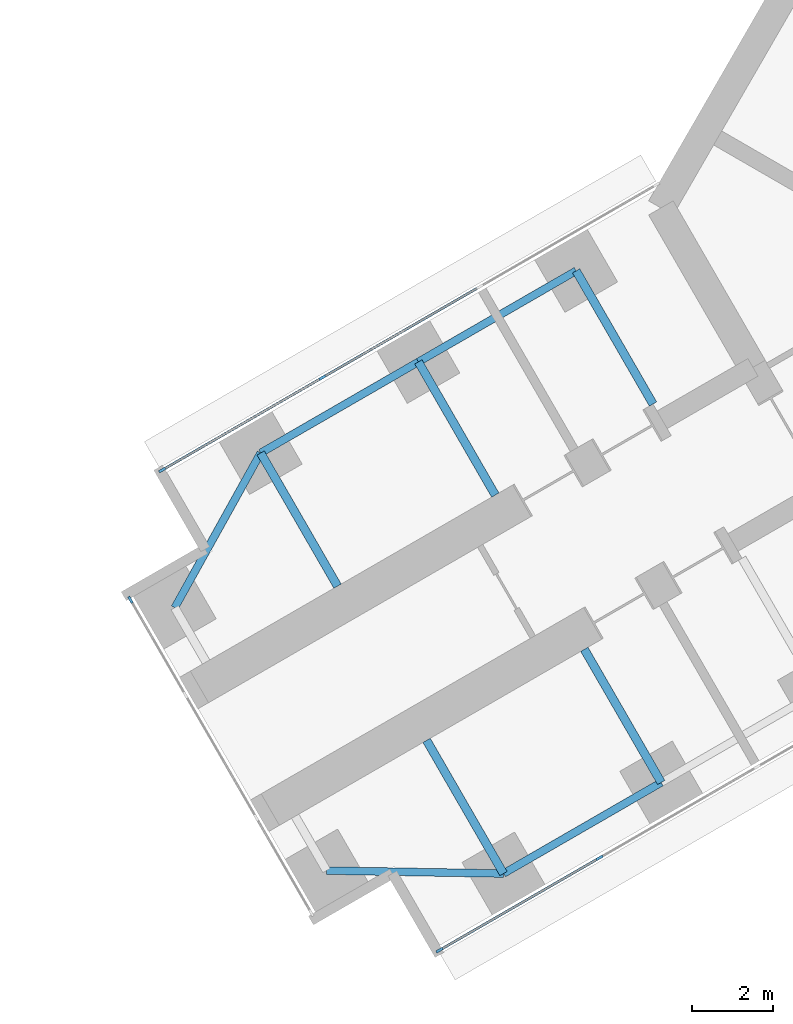
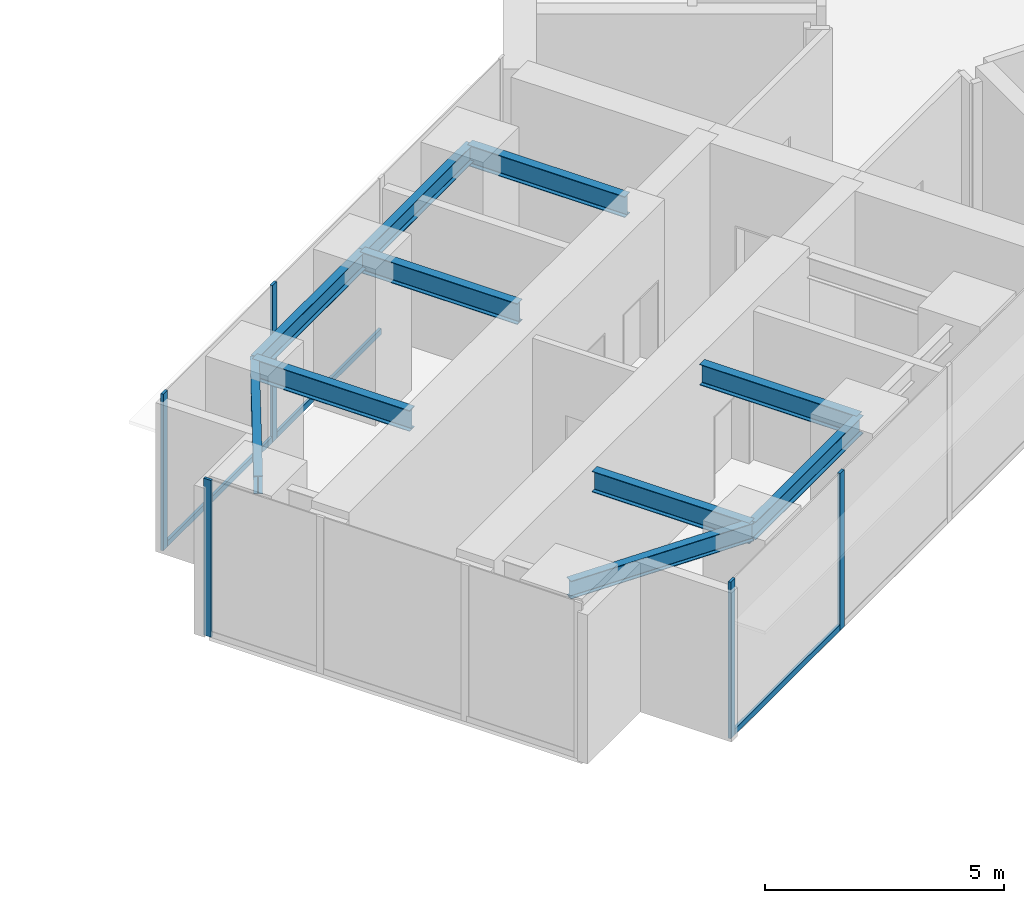
# One storey, part 4 of 23: 10 beams, 8 members, 3 elements without a shape of their own.
"""IFC4 building model written with IfcOpenShell, lengths in metres."""

from ifc_helpers import new_model, si_unit, direction, frame, origin, origin_2d, place, context, subcontext, project, spatial, rectangle, i_section, extrude, material, material_profile, profile_set, type_object, element, aggregate, save


model = new_model("IFC4")

# Units and contexts
model_context = context("Model", 3, precision=1e-05, world=origin(), true_north=direction((0.0, 1.0)))
body_context = subcontext(model_context, "Body", "Model", "MODEL_VIEW")
ifc_project = project(units=[si_unit("LENGTHUNIT", "METRE"), si_unit("AREAUNIT", "SQUARE_METRE"), si_unit("VOLUMEUNIT", "CUBIC_METRE"), si_unit("PLANEANGLEUNIT", "RADIAN"), si_unit("MASSUNIT", "GRAM", prefix="KILO")], contexts=[model_context])

# Site, building, storey
site_placement = place(None, origin())
site = spatial("IfcSite", under=ifc_project, at=site_placement, CompositionType="ELEMENT")
building_placement = place(site_placement, origin())
building = spatial("IfcBuilding", under=site, at=building_placement, Name="Upepo Twin Towers", CompositionType="ELEMENT")
storey_placement = place(building_placement, frame((0.0, 0.0, 24.5)))
storey = spatial("IfcBuildingStorey", under=building, at=storey_placement, Name="L05", CompositionType="ELEMENT", Elevation=24.5)

# Beams
ifc_material_1 = material(Name="Steel S355", Category="steel")
ifc_material_profile_1 = material_profile(ifc_material_1, i_section(OverallWidth=0.1904296875, OverallDepth=0.45703125, WebThickness=0.009033203125, FlangeThickness=0.014404296875, FilletRadius=0.01025390625, at=origin_2d()), Name="UB 457x191x74")
ifc_profile_set_1 = profile_set([ifc_material_profile_1], Name="Steel S355")
beam_type_1 = type_object("IfcBeamType", Name="Beam UB 457x191x74", PredefinedType="BEAM", material=ifc_profile_set_1)
beam_1_placement = place(storey_placement, frame((45.91162109375, -32.196044921875, 3.571533203125), z_axis=(-0.866031096941, -0.499990139034, 0.0), x_axis=(0.499990139034, -0.866031096941, 0.0)))
element("IfcBeam", 1, at=beam_1_placement, inside=storey, type_object=beam_type_1, Name="T2 edge beam BL 18.0-22.5", PredefinedType="BEAM", context=body_context, shape_type="SweptSolid", body=[
    extrude(i_section(OverallWidth=0.1904296875, OverallDepth=0.45703125, WebThickness=0.009033203125, FlangeThickness=0.014404296875, FilletRadius=0.01025390625, at=origin_2d()), origin(), (0.0, 0.0, 1.0), 4.5),
])
beam_2_placement = place(storey_placement, frame((42.014404296875, -34.446044921875, 3.571533203125), z_axis=(-0.999858804832, 0.016803880528, 0.0), x_axis=(-0.016803880528, -0.999858804832, 0.0)))
element("IfcBeam", 2, at=beam_2_placement, inside=storey, type_object=beam_type_1, Name="T2 nose edge beam BL", PredefinedType="BEAM", context=body_context, shape_type="SweptSolid", body=[
    extrude(i_section(OverallWidth=0.1904296875, OverallDepth=0.45703125, WebThickness=0.009033203125, FlangeThickness=0.014404296875, FilletRadius=0.01025390625, at=origin_2d()), origin(), (0.0, 0.0, 1.0), 4.373291015625),
])
beam_3_placement = place(storey_placement, frame((43.80859375, -19.553955078125, 3.571533203125), z_axis=(-0.866017533419, -0.500013631625, 0.0), x_axis=(0.500013631625, -0.866017533419, 0.0)))
element("IfcBeam", 3, at=beam_3_placement, inside=storey, type_object=beam_type_1, Name="T2 edge beam BR 13.5-18.0", PredefinedType="BEAM", context=body_context, shape_type="SweptSolid", body=[
    extrude(i_section(OverallWidth=0.1904296875, OverallDepth=0.45703125, WebThickness=0.009033203125, FlangeThickness=0.014404296875, FilletRadius=0.01025390625, at=origin_2d()), origin(), (0.0, 0.0, 1.0), 4.499755859375),
])
beam_4_placement = place(storey_placement, frame((39.91162109375, -21.803955078125, 3.571533203125), z_axis=(-0.866031096941, -0.499990139034, 0.0), x_axis=(0.499990139034, -0.866031096941, 0.0)))
element("IfcBeam", 4, at=beam_4_placement, inside=storey, type_object=beam_type_1, Name="T2 edge beam BR 18.0-22.5", PredefinedType="BEAM", context=body_context, shape_type="SweptSolid", body=[
    extrude(i_section(OverallWidth=0.1904296875, OverallDepth=0.45703125, WebThickness=0.009033203125, FlangeThickness=0.014404296875, FilletRadius=0.01025390625, at=origin_2d()), origin(), (0.0, 0.0, 1.0), 4.5),
])
beam_5_placement = place(storey_placement, frame((36.014404296875, -24.053955078125, 3.571533203125), z_axis=(-0.485363242752, -0.874312600038, 0.0), x_axis=(0.874312600038, -0.485363242752, 0.0)))
element("IfcBeam", 5, at=beam_5_placement, inside=storey, type_object=beam_type_1, Name="T2 nose edge beam BR", PredefinedType="BEAM", context=body_context, shape_type="SweptSolid", body=[
    extrude(i_section(OverallWidth=0.1904296875, OverallDepth=0.45703125, WebThickness=0.009033203125, FlangeThickness=0.014404296875, FilletRadius=0.01025390625, at=origin_2d()), origin(), (0.0, 0.0, 1.0), 4.373046875),
])
ifc_material_2 = material(Name="Steel S355", Category="steel")
ifc_material_profile_2 = material_profile(ifc_material_2, i_section(OverallWidth=0.209228515625, OverallDepth=0.533203125, WebThickness=0.010009765625, FlangeThickness=0.015625, FilletRadius=0.0126953125, at=origin_2d()), Name="UB 533x210x92")
ifc_profile_set_2 = profile_set([ifc_material_profile_2], Name="Steel S355")
beam_type_2 = type_object("IfcBeamType", Name="Beam UB 533x210x92", PredefinedType="BEAM", material=ifc_profile_set_2)
beam_6_placement = place(storey_placement, frame((45.91162109375, -32.196044921875, 3.533447265625), z_axis=(-0.500043160704, 0.866000483506, 0.0), x_axis=(-0.866000483506, -0.500043160704, 0.0)))
element("IfcBeam", 6, at=beam_6_placement, inside=storey, type_object=beam_type_2, Name="T2 girder BL at 18.0", PredefinedType="BEAM", context=body_context, shape_type="SweptSolid", body=[
    extrude(i_section(OverallWidth=0.209228515625, OverallDepth=0.533203125, WebThickness=0.010009765625, FlangeThickness=0.015625, FilletRadius=0.0126953125, at=origin_2d()), origin(), (0.0, 0.0, 1.0), 3.800048828125),
])
beam_7_placement = place(storey_placement, frame((42.014404296875, -34.446044921875, 3.533447265625), z_axis=(-0.499994975061, 0.866028304915, 0.0), x_axis=(-0.866028304915, -0.499994975061, 0.0)))
element("IfcBeam", 7, at=beam_7_placement, inside=storey, type_object=beam_type_2, Name="T2 girder BL at 22.5", PredefinedType="BEAM", context=body_context, shape_type="SweptSolid", body=[
    extrude(i_section(OverallWidth=0.209228515625, OverallDepth=0.533203125, WebThickness=0.010009765625, FlangeThickness=0.015625, FilletRadius=0.0126953125, at=origin_2d()), origin(), (0.0, 0.0, 1.0), 3.7998046875),
])
beam_8_placement = place(storey_placement, frame((43.80859375, -19.553955078125, 3.533447265625), z_axis=(0.500043160704, -0.866000483506, 0.0), x_axis=(0.866000483506, 0.500043160704, 0.0)))
element("IfcBeam", 8, at=beam_8_placement, inside=storey, type_object=beam_type_2, Name="T2 girder BR at 13.5", PredefinedType="BEAM", context=body_context, shape_type="SweptSolid", body=[
    extrude(i_section(OverallWidth=0.209228515625, OverallDepth=0.533203125, WebThickness=0.010009765625, FlangeThickness=0.015625, FilletRadius=0.0126953125, at=origin_2d()), origin(), (0.0, 0.0, 1.0), 3.800048828125),
])
for number, where, z_axis, x_axis, name in (
    (9, (39.91162109375, -21.803955078125, 3.533447265625), (0.499994975061, -0.866028304915, 0.0), (0.866028304915, 0.499994975061, 0.0), "T2 girder BR at 18.0"),
    (10, (36.014404296875, -24.053955078125, 3.533447265625), (0.499994975061, -0.866028304915, 0.0), (0.866028304915, 0.499994975061, 0.0), "T2 girder BR at 22.5"),
):
    element("IfcBeam", number, at=place(storey_placement, frame(where, z_axis=z_axis, x_axis=x_axis)), inside=storey, type_object=beam_type_2, Name=name, PredefinedType="BEAM", context=body_context, shape_type="SweptSolid", body=[
        extrude(i_section(OverallWidth=0.209228515625, OverallDepth=0.533203125, WebThickness=0.010009765625, FlangeThickness=0.015625, FilletRadius=0.0126953125, at=origin_2d()), origin(), (0.0, 0.0, 1.0), 3.7998046875),
    ])

# Curtain wall, members
ifc_material_3 = material(Name="Aluminium and fritted glass", Category="aluminium")
curtain_wall_type = type_object("IfcCurtainWallType", Name="Tower curtain wall TW1, fritted glass", PredefinedType="NOTDEFINED", material=ifc_material_3)
curtain_wall_1_placement = place(storey_placement, origin())
curtain_wall_1 = element("IfcCurtainWall", 11, at=curtain_wall_1_placement, inside=storey, type_object=curtain_wall_type, Name="T2 L05 wing B flank L curtain wall", PredefinedType="NOTDEFINED")
ifc_material_4 = material(Name="Aluminium mullion", Category="aluminium")
ifc_material_profile_3 = material_profile(ifc_material_4, rectangle(XDim=0.06494140625, YDim=0.179931640625, at=origin_2d()), Name="MULLION 65x180")
ifc_profile_set_3 = profile_set([ifc_material_profile_3], Name="Aluminium mullion")
member_type_1 = type_object("IfcMemberType", Name="Mullion 65x180 TW1", PredefinedType="MULLION", material=ifc_profile_set_3)
member_1_placement = place(storey_placement, frame((44.387939453125, -34.057373046875, 0.0), z_axis=(0.0, 0.0, 1.0), x_axis=(0.500000024426, -0.866025389682, 0.0)))
member_1 = element("IfcMember", 12, at=member_1_placement, type_object=member_type_1, Name="T2 L05 wing B flank L curtain wall mullion 3", PredefinedType="MULLION", context=body_context, shape_type="SweptSolid", body=[
    extrude(rectangle(XDim=0.06494140625, YDim=0.179931640625, at=origin_2d()), origin(), (0.0, 0.0, 1.0), 4.0),
])
member_2_placement = place(storey_placement, frame((40.432373046875, -36.341064453125, 0.0), z_axis=(0.0, 0.0, 1.0), x_axis=(0.500000024426, -0.866025389682, 0.0)))
member_2 = element("IfcMember", 13, at=member_2_placement, type_object=member_type_1, Name="T2 L05 wing B flank L curtain wall mullion 4", PredefinedType="MULLION", context=body_context, shape_type="SweptSolid", body=[
    extrude(rectangle(XDim=0.06494140625, YDim=0.179931640625, at=origin_2d()), origin(), (0.0, 0.0, 1.0), 4.0),
])

curtain_wall_2_placement = place(storey_placement, origin())
curtain_wall_2 = element("IfcCurtainWall", 14, at=curtain_wall_2_placement, inside=storey, type_object=curtain_wall_type, Name="T2 L05 wing B flank R curtain wall", PredefinedType="NOTDEFINED")
member_3_placement = place(storey_placement, frame((33.58251953125, -24.4765625, 0.0), z_axis=(0.0, 0.0, 1.0), x_axis=(-0.500000024426, 0.866025389682, 0.0)))
member_3 = element("IfcMember", 15, at=member_3_placement, type_object=member_type_1, Name="T2 L05 wing B flank R curtain wall mullion 1", PredefinedType="MULLION", context=body_context, shape_type="SweptSolid", body=[
    extrude(rectangle(XDim=0.06494140625, YDim=0.179931640625, at=origin_2d()), origin(), (0.0, 0.0, 1.0), 4.0),
])
member_4_placement = place(storey_placement, frame((37.5380859375, -22.192626953125, 0.0), z_axis=(0.0, 0.0, 1.0), x_axis=(-0.500000024426, 0.866025389682, 0.0)))
member_4 = element("IfcMember", 16, at=member_4_placement, type_object=member_type_1, Name="T2 L05 wing B flank R curtain wall mullion 2", PredefinedType="MULLION", context=body_context, shape_type="SweptSolid", body=[
    extrude(rectangle(XDim=0.06494140625, YDim=0.179931640625, at=origin_2d()), origin(), (0.0, 0.0, 1.0), 4.0),
])

# Curtain wall, member
curtain_wall_3_placement = place(storey_placement, origin())
curtain_wall_3 = element("IfcCurtainWall", 17, at=curtain_wall_3_placement, inside=storey, type_object=curtain_wall_type, Name="T2 L05 wing B nose curtain wall", PredefinedType="NOTDEFINED")
member_5_placement = place(storey_placement, frame((32.796875, -27.68115234375, 0.0), z_axis=(0.0, 0.0, 1.0), x_axis=(0.866025386174, 0.500000030502, 0.0)))
member_5 = element("IfcMember", 18, at=member_5_placement, type_object=member_type_1, Name="T2 L05 wing B nose curtain wall mullion 1", PredefinedType="MULLION", context=body_context, shape_type="SweptSolid", body=[
    extrude(rectangle(XDim=0.06494140625, YDim=0.179931640625, at=origin_2d()), origin(), (0.0, 0.0, 1.0), 4.0),
])
aggregate(curtain_wall_3, [member_5])

# Member
ifc_material_5 = material(Name="Aluminium transom", Category="aluminium")
ifc_material_profile_4 = material_profile(ifc_material_5, rectangle(XDim=0.06494140625, YDim=0.14990234375, at=origin_2d()), Name="TRANSOM 65x150")
ifc_profile_set_4 = profile_set([ifc_material_profile_4], Name="Aluminium transom")
member_type_2 = type_object("IfcMemberType", Name="Transom 65x150 TW1", PredefinedType="USERDEFINED", material=ifc_profile_set_4)
member_6_placement = place(storey_placement, frame((44.35986328125, -34.073486328125, 0.074951171875), z_axis=(-0.866035699072, -0.499982167615, 0.0), x_axis=(0.499982167615, -0.866035699072, 0.0)))
member_6 = element("IfcMember", 19, at=member_6_placement, type_object=member_type_2, Name="T2 L05 wing B flank L curtain wall transom 3", ObjectType="TRANSOM", PredefinedType="USERDEFINED", context=body_context, shape_type="SweptSolid", body=[
    extrude(rectangle(XDim=0.06494140625, YDim=0.14990234375, at=origin_2d()), origin(), (0.0, 0.0, 1.0), 4.502685546875),
])

aggregate(curtain_wall_1, [member_1, member_2, member_6])

member_7_placement = place(storey_placement, frame((33.610595703125, -24.460205078125, 0.074951171875), z_axis=(0.866022143554, 0.500005646842, 0.0), x_axis=(-0.500005646842, 0.866022143554, 0.0)))
member_7 = element("IfcMember", 20, at=member_7_placement, type_object=member_type_2, Name="T2 L05 wing B flank R curtain wall transom 1", ObjectType="TRANSOM", PredefinedType="USERDEFINED", context=body_context, shape_type="SweptSolid", body=[
    extrude(rectangle(XDim=0.06494140625, YDim=0.14990234375, at=origin_2d()), origin(), (0.0, 0.0, 1.0), 4.50244140625),
])

member_8_placement = place(storey_placement, frame((37.566162109375, -22.176513671875, 0.074951171875), z_axis=(0.866022410713, 0.500005184116, 0.0), x_axis=(-0.500005184116, 0.866022410713, 0.0)))
member_8 = element("IfcMember", 21, at=member_8_placement, type_object=member_type_2, Name="T2 L05 wing B flank R curtain wall transom 2", ObjectType="TRANSOM", PredefinedType="USERDEFINED", context=body_context, shape_type="SweptSolid", body=[
    extrude(rectangle(XDim=0.06494140625, YDim=0.14990234375, at=origin_2d()), origin(), (0.0, 0.0, 1.0), 4.43505859375),
])

aggregate(curtain_wall_2, [member_3, member_4, member_7, member_8])

save(model, "model.ifc")
